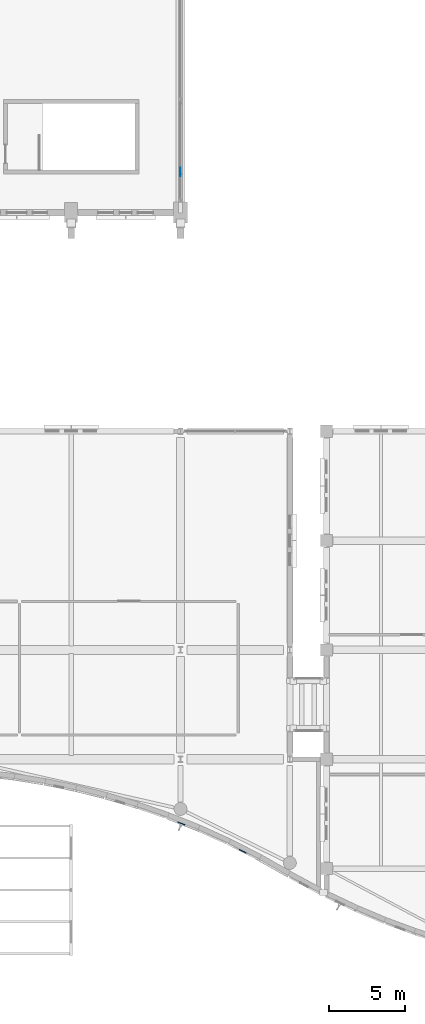
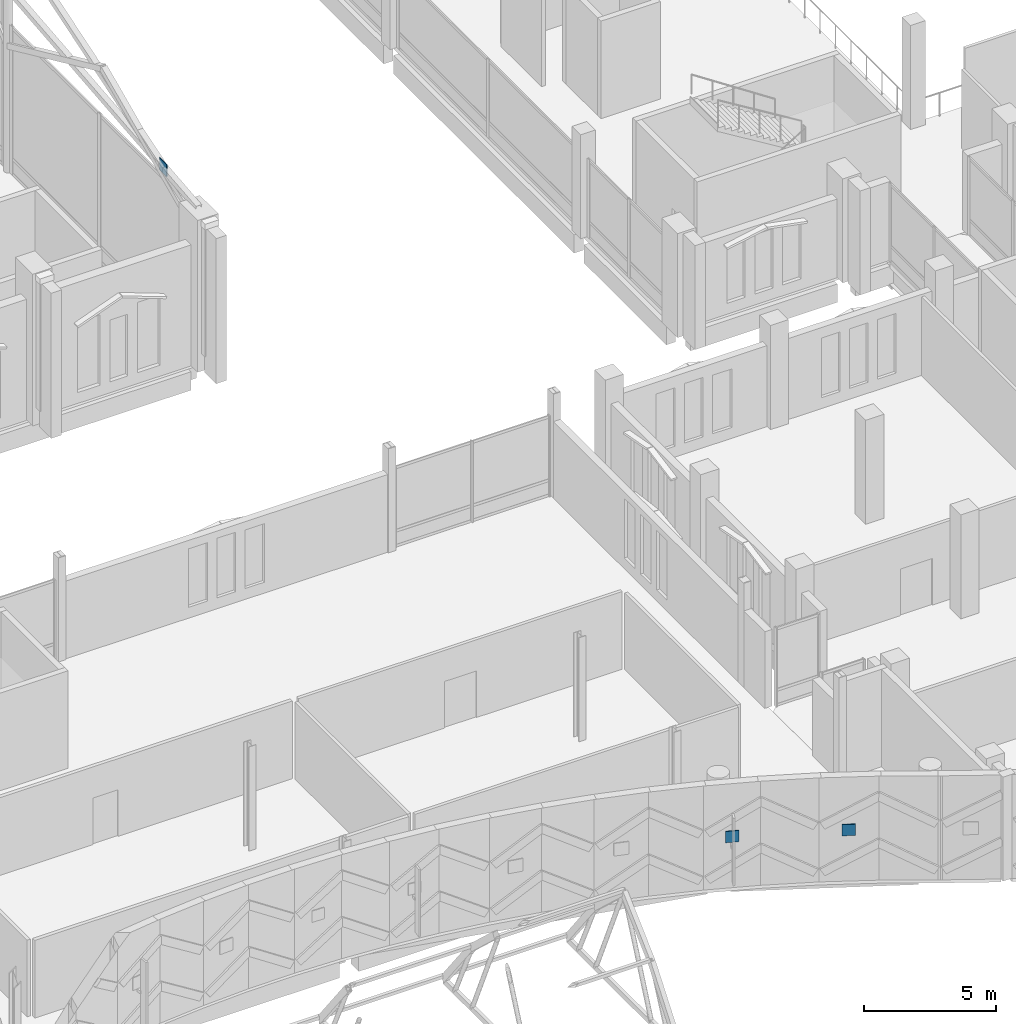
# One storey, part 139 of 220: 3 plates.
"""IFC4 building model written with IfcOpenShell, lengths in metres."""

from ifc_helpers import new_model, si_unit, direction, frame, origin, origin_2d, place, context, subcontext, project, spatial, rectangle, extrude, material, layer, layer_set, type_object, element, save


model = new_model("IFC4")

# Units and contexts
model_context = context("Model", 3, precision=1e-05, world=origin(), true_north=direction((0.0, 1.0)))
body_context = subcontext(model_context, "Body", "Model", "MODEL_VIEW")
ifc_project = project(units=[si_unit("LENGTHUNIT", "METRE"), si_unit("AREAUNIT", "SQUARE_METRE"), si_unit("VOLUMEUNIT", "CUBIC_METRE"), si_unit("PLANEANGLEUNIT", "RADIAN"), si_unit("MASSUNIT", "GRAM", prefix="KILO")], contexts=[model_context])

# Site, building, storey
site_placement = place(None, origin())
site = spatial("IfcSite", under=ifc_project, at=site_placement, CompositionType="ELEMENT")
building_placement = place(site_placement, origin())
building = spatial("IfcBuilding", under=site, at=building_placement, Name="Cendralis Lancet Convention Centre", CompositionType="ELEMENT")
storey_placement = place(building_placement, frame((0.0, 0.0, 5.39990234375)))
storey = spatial("IfcBuildingStorey", under=building, at=storey_placement, Name="L01", CompositionType="ELEMENT", Elevation=5.39990234375)

# Plates
ifc_material_1 = material(Name="Warm buff sandstone chevron cassette", Category="masonry")
ifc_layer_1 = layer(ifc_material_1, 0.044921875, Name="Warm buff sandstone chevron cassette")
ifc_layer_set_1 = layer_set([ifc_layer_1], Name="Warm buff sandstone chevron cassette")
plate_type_1 = type_object("IfcPlateType", Name="ARC-PL-CHV3", PredefinedType="SHEET", material=ifc_layer_set_1)
plate_1_placement = place(storey_placement, frame((122.458251953125, 10.171630859375, 2.1201171875), z_axis=(0.0, 0.0, 1.0), x_axis=(0.929268028387, -0.369406187572, 0.0)))
element("IfcPlate", 1, at=plate_1_placement, inside=storey, type_object=plate_type_1, Name="Chevron Keystone Cassette CHV-S2 #0091", PredefinedType="SHEET", context=body_context, shape_type="SweptSolid", body=[
    extrude(rectangle(XDim=0.52001953125, YDim=0.044921875, at=origin_2d()), origin(), (0.0, 0.0, 1.0), 0.52001953125),
])
ifc_material_2 = material(Name="Dark Andean slate chevron cassette", Category="masonry")
ifc_layer_2 = layer(ifc_material_2, 0.048095703125, Name="Dark Andean slate chevron cassette")
ifc_layer_set_2 = layer_set([ifc_layer_2], Name="Dark Andean slate chevron cassette")
plate_type_2 = type_object("IfcPlateType", Name="ARC-PL-CHV4", PredefinedType="SHEET", material=ifc_layer_set_2)
plate_2_placement = place(storey_placement, frame((126.492919921875, 8.34619140625, 2.1201171875), z_axis=(0.0, 0.0, 1.0), x_axis=(0.891061982941, -0.453881639369, 0.0)))
element("IfcPlate", 2, at=plate_2_placement, inside=storey, type_object=plate_type_2, Name="Chevron Keystone Cassette CHV-D2 #0094", PredefinedType="SHEET", context=body_context, shape_type="SweptSolid", body=[
    extrude(rectangle(XDim=0.52001953125, YDim=0.048095703125, at=origin_2d()), origin(), (0.0, 0.0, 1.0), 0.52001953125),
])
ifc_material_3 = material(Name="Steel S355", Category="steel")
ifc_layer_3 = layer(ifc_material_3, 0.028076171875, Name="Steel S355")
ifc_layer_set_3 = layer_set([ifc_layer_3], Name="Steel S355")
plate_type_3 = type_object("IfcPlateType", Name="STR-PL-GP28B", PredefinedType="USERDEFINED", material=ifc_layer_set_3)
plate_3_placement = place(storey_placement, frame((122.39990234375, 53.07861328125, 6.9853515625), z_axis=(0.0, 0.0, 1.0), x_axis=(0.0, 1.0, 0.0)))
element("IfcPlate", 3, at=plate_3_placement, inside=storey, type_object=plate_type_3, Name="Gable X-Brace Crossing Gusset Node Plate GP-28B 122-50", ObjectType="GUSSET PLATE", PredefinedType="USERDEFINED", context=body_context, shape_type="SweptSolid", body=[
    extrude(rectangle(XDim=0.56005859375, YDim=0.028076171875, at=origin_2d()), origin(), (0.0, 0.0, 1.0), 0.56005859375),
])

save(model, "model.ifc")
